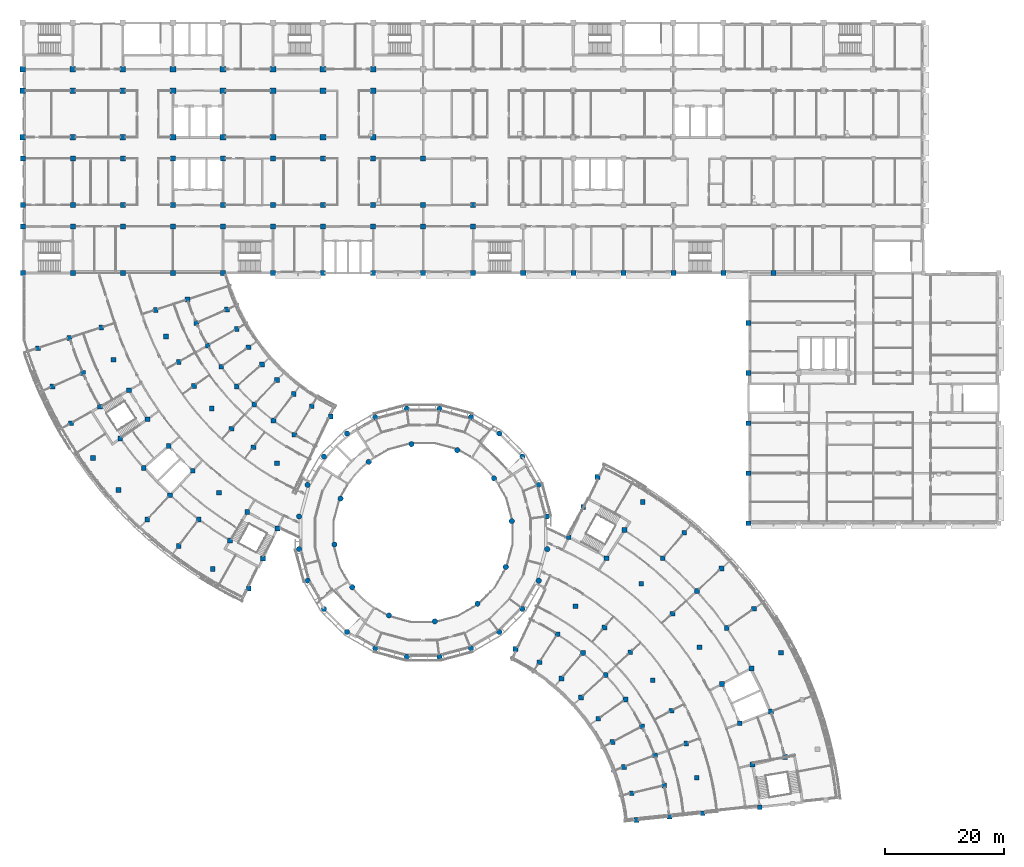
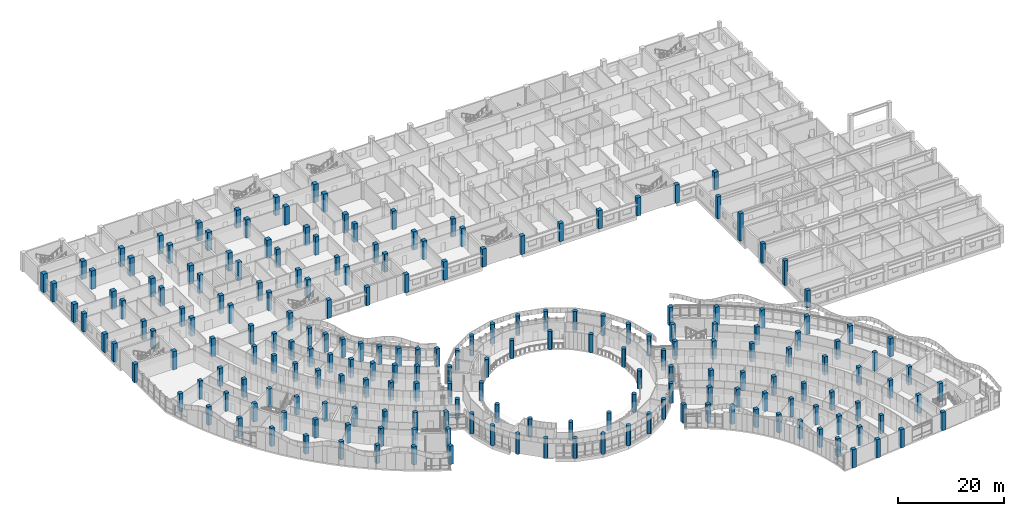
# One storey, part 1 of 109: 209 columns.
"""IFC4 building model written with IfcOpenShell, lengths in metres."""

from ifc_helpers import new_model, si_unit, direction, frame, origin, origin_2d, place, context, subcontext, project, spatial, rectangle, circle, extrude, material, material_profile, profile_set, type_object, element, save


model = new_model("IFC4")

# Units and contexts
model_context = context("Model", 3, precision=1e-05, world=origin(), true_north=direction((0.0, 1.0)))
body_context = subcontext(model_context, "Body", "Model", "MODEL_VIEW")
ifc_project = project(units=[si_unit("LENGTHUNIT", "METRE"), si_unit("AREAUNIT", "SQUARE_METRE"), si_unit("VOLUMEUNIT", "CUBIC_METRE"), si_unit("PLANEANGLEUNIT", "RADIAN"), si_unit("MASSUNIT", "GRAM", prefix="KILO")], contexts=[model_context])

# Site, building, storey
site_placement = place(None, origin())
site = spatial("IfcSite", under=ifc_project, at=site_placement, CompositionType="ELEMENT")
building_placement = place(site_placement, origin())
building = spatial("IfcBuilding", under=site, at=building_placement, Name="Bougainvillea Quay General Hospital", CompositionType="ELEMENT")
storey_placement = place(building_placement, frame((0.0, 0.0, 12.60009765625)))
storey = spatial("IfcBuildingStorey", under=building, at=storey_placement, Name="L02", CompositionType="ELEMENT", Elevation=12.60009765625)

# Columns
ifc_material = material(Name="Concrete C40", Category="concrete")
ifc_material_profile_1 = material_profile(ifc_material, rectangle(XDim=0.800048828125, YDim=0.800048828125, at=origin_2d()))
ifc_profile_set_1 = profile_set([ifc_material_profile_1], Name="Concrete C40")
column_type_1 = type_object("IfcColumnType", Name="RC COL 800x800 C40", PredefinedType="COLUMN", material=ifc_profile_set_1)
for number, where, z_axis, x_axis, name in (
    (1, (44.530029296875, 104.98193359375, 0.0), (0.0, 0.0, 1.0), (1.0, 0.0, 0.0), "Column C-V6-W80 L02"),
    (2, (46.989990234375, 98.5419921875, 0.0), (0.0, 0.0, 1.0), (1.0, 0.0, 0.0), "Column C-V6-W70 L02"),
    (3, (49.85498046875, 106.712890625, 0.0), (0.0, 0.0, 1.0), (1.0, 0.0, 0.0), "Column C-V6-W81 L02"),
    (4, (50.091064453125, 92.383056640625, 0.0), (0.0, 0.0, 1.0), (1.0, 0.0, 0.0), "Column C-V6-W60 L02"),
    (5, (52.114013671875, 100.802978515625, 0.0), (0.0, 0.0, 1.0), (1.0, 0.0, 0.0), "Column C-V6-W71 L02"),
    (6, (53.799072265625, 86.570068359375, 0.0), (0.0, 0.0, 1.0), (1.0, 0.0, 0.0), "Column C-V6-W50 L02"),
    (7, (54.958984375, 95.152099609375, 0.0), (0.0, 0.0, 1.0), (1.0, 0.0, 0.0), "Column C-V6-W61 L02"),
    (8, (55.180908203125, 108.444091796875, 0.0), (0.0, 0.0, 1.0), (1.0, 0.0, 0.0), "Column C-V6-W82 L02"),
    (9, (57.237060546875, 103.06396484375, 0.0), (0.0, 0.0, 1.0), (1.0, 0.0, 0.0), "Column C-V6-W72 L02"),
    (10, (58.075927734375, 81.1630859375, 0.0), (0.0, 0.0, 1.0), (1.0, 0.0, 0.0), "Column C-V6-W40 L02"),
    (11, (58.361083984375, 89.81689453125, 0.0), (0.0, 0.0, 1.0), (1.0, 0.0, 0.0), "Column C-V6-W51 L02"),
    (12, (59.825927734375, 97.919921875, 0.0), (0.0, 0.0, 1.0), (1.0, 0.0, 0.0), "Column C-V6-W62 L02"),
    (13, (62.287109375, 84.85498046875, 0.0), (0.0, 0.0, 1.0), (1.0, 0.0, 0.0), "Column C-V6-W41 L02"),
    (14, (62.8798828125, 76.216064453125, 0.0), (0.0, 0.0, 1.0), (1.0, 0.0, 0.0), "Column C-V6-W30 L02"),
    (15, (62.924072265625, 93.06494140625, 0.0), (0.0, 0.0, 1.0), (1.0, 0.0, 0.0), "Column C-V6-W52 L02"),
    (16, (64.31103515625, 111.410888671875, 0.0), (0.0, 0.0, 1.0), (1.0, 0.0, 0.0), "Column C-V6-W83 L02"),
    (17, (66.01904296875, 106.94091796875, 0.0), (0.0, 0.0, 1.0), (1.0, 0.0, 0.0), "Column C-V6-W73 L02"),
    (18, (66.4970703125, 88.548095703125, 0.0), (0.0, 0.0, 1.0), (1.0, 0.0, 0.0), "Column C-V6-W42 L02"),
    (19, (66.694091796875, 80.31591796875, 0.0), (0.0, 0.0, 1.0), (1.0, 0.0, 0.0), "Column C-V6-W31 L02"),
    (20, (68.158935546875, 71.781005859375, 0.0), (0.0, 0.0, 1.0), (1.0, 0.0, 0.0), "Column C-V6-W20 L02"),
    (21, (68.1708984375, 102.666015625, 0.0), (0.0, 0.0, 1.0), (1.0, 0.0, 0.0), "Column C-V6-W63 L02"),
    (22, (69.636962890625, 113.14208984375, 0.0), (0.0, 0.0, 1.0), (1.0, 0.0, 0.0), "Column C-V6-W84 L02"),
    (23, (70.509033203125, 84.416015625, 0.0), (0.0, 0.0, 1.0), (1.0, 0.0, 0.0), "Column C-V6-W32 L02"),
    (24, (70.7451171875, 98.631103515625, 0.0), (0.0, 0.0, 1.0), (1.0, 0.0, 0.0), "Column C-V6-W53 L02"),
    (25, (71.14208984375, 109.201904296875, 0.0), (0.0, 0.0, 1.0), (1.0, 0.0, 0.0), "Column C-V6-W74 L02"),
    (26, (71.5390625, 76.2470703125, 0.0), (0.0, 0.0, 1.0), (1.0, 0.0, 0.0), "Column C-V6-W21 L02"),
    (27, (73.0390625, 105.43408203125, 0.0), (0.0, 0.0, 1.0), (1.0, 0.0, 0.0), "Column C-V6-W64 L02"),
    (28, (73.714111328125, 94.8779296875, 0.0), (0.0, 0.0, 1.0), (1.0, 0.0, 0.0), "Column C-V6-W43 L02"),
    (29, (73.861083984375, 67.904052734375, 0.0), (0.0, 0.0, 1.0), (1.0, 0.0, 0.0), "Column C-V6-W10 L02"),
    (30, (74.9189453125, 80.7119140625, 0.0), (0.0, 0.0, 1.0), (1.0, 0.0, 0.0), "Column C-V6-W22 L02"),
    (31, (75.30810546875, 101.8779296875, 0.0), (0.0, 0.0, 1.0), (1.0, 0.0, 0.0), "Column C-V6-W54 L02"),
    (32, (76.26611328125, 111.462890625, 0.0), (0.0, 0.0, 1.0), (1.0, 0.0, 0.0), "Column C-V6-W75 L02"),
    (33, (76.77099609375, 72.68896484375, 0.0), (0.0, 0.0, 1.0), (1.0, 0.0, 0.0), "Column C-V6-W11 L02"),
    (34, (77.048095703125, 91.444091796875, 0.0), (0.0, 0.0, 1.0), (1.0, 0.0, 0.0), "Column C-V6-W33 L02"),
    (35, (77.906982421875, 108.202880859375, 0.0), (0.0, 0.0, 1.0), (1.0, 0.0, 0.0), "Column C-V6-W65 L02"),
    (36, (77.924072265625, 98.570068359375, 0.0), (0.0, 0.0, 1.0), (1.0, 0.0, 0.0), "Column C-V6-W44 L02"),
    (37, (79.680908203125, 77.472900390625, 0.0), (0.0, 0.0, 1.0), (1.0, 0.0, 0.0), "Column C-V6-W12 L02"),
    (38, (79.8701171875, 105.125, 0.0), (0.0, 0.0, 1.0), (1.0, 0.0, 0.0), "Column C-V6-W55 L02"),
    (39, (79.925048828125, 64.6240234375, 0.0), (0.0, 0.0, 1.0), (1.0, 0.0, 0.0), "Column C-V6-W00 L02"),
    (40, (80.712890625, 88.365966796875, 0.0), (0.0, 0.0, 1.0), (1.0, 0.0, 0.0), "Column C-V6-W23 L02"),
    (41, (80.863037109375, 95.5439453125, 0.0), (0.0, 0.0, 1.0), (1.0, 0.0, 0.0), "Column C-V6-W34 L02"),
    (42, (82.135009765625, 102.262939453125, 0.0), (0.0, 0.0, 1.0), (1.0, 0.0, 0.0), "Column C-V6-W45 L02"),
    (43, (82.3359375, 69.678955078125, 0.0), (0.0, 0.0, 1.0), (1.0, 0.0, 0.0), "Column C-V6-W01 L02"),
    (44, (84.093017578125, 92.8310546875, 0.0), (0.0, 0.0, 1.0), (1.0, 0.0, 0.0), "Column C-V6-W24 L02"),
    (45, (84.669921875, 85.675048828125, 0.0), (0.0, 0.0, 1.0), (1.0, 0.0, 0.0), "Column C-V6-W13 L02"),
    (46, (84.677001953125, 99.64404296875, 0.0), (0.0, 0.0, 1.0), (1.0, 0.0, 0.0), "Column C-V6-W35 L02"),
    (47, (84.7470703125, 74.73291015625, 0.0), (0.0, 0.0, 1.0), (1.0, 0.0, 0.0), "Column C-V6-W02 L02"),
    (48, (87.471923828125, 97.2958984375, 0.0), (0.0, 0.0, 1.0), (1.0, 0.0, 0.0), "Column C-V6-W25 L02"),
    (49, (87.5810546875, 90.458984375, 0.0), (0.0, 0.0, 1.0), (1.0, 0.0, 0.0), "Column C-V6-W14 L02"),
    (50, (90.490966796875, 95.242919921875, 0.0), (0.0, 0.0, 1.0), (1.0, 0.0, 0.0), "Column C-V6-W15 L02"),
    (51, (93.701904296875, 93.507080078125, 0.0), (0.0, 0.0, 1.0), (1.0, 0.0, 0.0), "Column C-V6-W05 L02"),
    (52, (124.697998046875, 54.492919921875, 0.0), (0.0, 0.0, 1.0), (1.0, 0.0, 0.0), "Column C-V6-E05 L02"),
    (53, (128.7080078125, 52.256103515625, 0.0), (0.0, 0.0, 1.0), (1.0, 0.0, 0.0), "Column C-V6-E15 L02"),
    (54, (131.741943359375, 56.962890625, 0.0), (0.0, 0.0, 1.0), (1.0, 0.0, 0.0), "Column C-V6-E14 L02"),
    (55, (132.39990234375, 49.527099609375, 0.0), (0.0, 0.0, 1.0), (1.0, 0.0, 0.0), "Column C-V6-E25 L02"),
    (56, (133.653076171875, 73.26708984375, 0.0), (0.0, 0.0, 1.0), (1.0, 0.0, 0.0), "Column C-V6-E02 L02"),
    (57, (134.777099609375, 61.6689453125, 0.0), (0.0, 0.0, 1.0), (1.0, 0.0, 0.0), "Column C-V6-E13 L02"),
    (58, (135.715087890625, 46.35107421875, 0.0), (0.0, 0.0, 1.0), (1.0, 0.0, 0.0), "Column C-V6-E35 L02"),
    (59, (136.009033203125, 53.81005859375, 0.0), (0.0, 0.0, 1.0), (1.0, 0.0, 0.0), "Column C-V6-E24 L02"),
    (60, (136.06396484375, 78.321044921875, 0.0), (0.0, 0.0, 1.0), (1.0, 0.0, 0.0), "Column C-V6-E01 L02"),
    (61, (138.47509765625, 83.3759765625, 0.0), (0.0, 0.0, 1.0), (1.0, 0.0, 0.0), "Column C-V6-E00 L02"),
    (62, (138.597900390625, 42.778076171875, 0.0), (0.0, 0.0, 1.0), (1.0, 0.0, 0.0), "Column C-V6-E45 L02"),
    (63, (139.617919921875, 58.092041015625, 0.0), (0.0, 0.0, 1.0), (1.0, 0.0, 0.0), "Column C-V6-E23 L02"),
    (64, (139.839111328125, 50.138916015625, 0.0), (0.0, 0.0, 1.0), (1.0, 0.0, 0.0), "Column C-V6-E34 L02"),
    (65, (139.97900390625, 69.738037109375, 0.0), (0.0, 0.0, 1.0), (1.0, 0.0, 0.0), "Column C-V6-E12 L02"),
    (66, (141.00390625, 38.867919921875, 0.0), (0.0, 0.0, 1.0), (1.0, 0.0, 0.0), "Column C-V6-E55 L02"),
    (67, (142.89208984375, 34.68310546875, 0.0), (0.0, 0.0, 1.0), (1.0, 0.0, 0.0), "Column C-V6-E65 L02"),
    (68, (143.013916015625, 74.444091796875, 0.0), (0.0, 0.0, 1.0), (1.0, 0.0, 0.0), "Column C-V6-E11 L02"),
    (69, (143.1708984375, 46.010009765625, 0.0), (0.0, 0.0, 1.0), (1.0, 0.0, 0.0), "Column C-V6-E44 L02"),
    (70, (143.964111328125, 53.927001953125, 0.0), (0.0, 0.0, 1.0), (1.0, 0.0, 0.0), "Column C-V6-E33 L02"),
    (71, (144.23193359375, 30.2919921875, 0.0), (0.0, 0.0, 1.0), (1.0, 0.0, 0.0), "Column C-V6-E75 L02"),
    (72, (145.0029296875, 25.76611328125, 0.0), (0.0, 0.0, 1.0), (1.0, 0.0, 0.0), "Column C-V6-E85 L02"),
    (73, (145.803955078125, 65.431884765625, 0.0), (0.0, 0.0, 1.0), (1.0, 0.0, 0.0), "Column C-V6-E22 L02"),
    (74, (145.950927734375, 41.491943359375, 0.0), (0.0, 0.0, 1.0), (1.0, 0.0, 0.0), "Column C-V6-E54 L02"),
    (75, (146.048095703125, 79.15087890625, 0.0), (0.0, 0.0, 1.0), (1.0, 0.0, 0.0), "Column C-V6-E10 L02"),
    (76, (147.7451171875, 49.242919921875, 0.0), (0.0, 0.0, 1.0), (1.0, 0.0, 0.0), "Column C-V6-E43 L02"),
    (77, (148.133056640625, 36.656005859375, 0.0), (0.0, 0.0, 1.0), (1.0, 0.0, 0.0), "Column C-V6-E64 L02"),
    (78, (149.4130859375, 69.714111328125, 0.0), (0.0, 0.0, 1.0), (1.0, 0.0, 0.0), "Column C-V6-E21 L02"),
    (79, (149.681884765625, 31.5810546875, 0.0), (0.0, 0.0, 1.0), (1.0, 0.0, 0.0), "Column C-V6-E74 L02"),
    (80, (150.572021484375, 26.35107421875, 0.0), (0.0, 0.0, 1.0), (1.0, 0.0, 0.0), "Column C-V6-E84 L02"),
    (81, (150.89794921875, 44.114990234375, 0.0), (0.0, 0.0, 1.0), (1.0, 0.0, 0.0), "Column C-V6-E53 L02"),
    (82, (151.033935546875, 60.419921875, 0.0), (0.0, 0.0, 1.0), (1.0, 0.0, 0.0), "Column C-V6-E32 L02"),
    (83, (153.02197265625, 73.99609375, 0.0), (0.0, 0.0, 1.0), (1.0, 0.0, 0.0), "Column C-V6-E20 L02"),
    (84, (153.3740234375, 38.62890625, 0.0), (0.0, 0.0, 1.0), (1.0, 0.0, 0.0), "Column C-V6-E63 L02"),
    (85, (155.131103515625, 32.87109375, 0.0), (0.0, 0.0, 1.0), (1.0, 0.0, 0.0), "Column C-V6-E73 L02"),
    (86, (155.158935546875, 64.2080078125, 0.0), (0.0, 0.0, 1.0), (1.0, 0.0, 0.0), "Column C-V6-E31 L02"),
    (87, (155.583984375, 54.782958984375, 0.0), (0.0, 0.0, 1.0), (1.0, 0.0, 0.0), "Column C-V6-E42 L02"),
    (88, (156.14111328125, 26.93701171875, 0.0), (0.0, 0.0, 1.0), (1.0, 0.0, 0.0), "Column C-V6-E83 L02"),
    (89, (159.283935546875, 67.99609375, 0.0), (0.0, 0.0, 1.0), (1.0, 0.0, 0.0), "Column C-V6-E30 L02"),
    (90, (159.37890625, 48.613037109375, 0.0), (0.0, 0.0, 1.0), (1.0, 0.0, 0.0), "Column C-V6-E52 L02"),
    (91, (160.156982421875, 58.01611328125, 0.0), (0.0, 0.0, 1.0), (1.0, 0.0, 0.0), "Column C-V6-E41 L02"),
    (92, (162.35791015625, 42.010986328125, 0.0), (0.0, 0.0, 1.0), (1.0, 0.0, 0.0), "Column C-V6-E62 L02"),
):
    element("IfcColumn", number, at=place(storey_placement, frame(where, z_axis=z_axis, x_axis=x_axis)), inside=storey, type_object=column_type_1, Name=name, PredefinedType="COLUMN", context=body_context, shape_type="SweptSolid", body=[
        extrude(rectangle(XDim=0.800048828125, YDim=0.800048828125, at=origin_2d()), origin(), (0.0, 0.0, 1.0), 4.199951171875),
    ])
column_1_placement = place(storey_placement, frame((163.800048828125, 75.60009765625, 0.0), z_axis=(0.0, 0.0, 1.0), x_axis=(1.0, 0.0, 0.0)))
element("IfcColumn", 93, at=column_1_placement, inside=storey, type_object=column_type_1, Name="Column C-V3-00 L02", PredefinedType="COLUMN", context=body_context, shape_type="SweptSolid", body=[
    extrude(rectangle(XDim=0.800048828125, YDim=0.800048828125, at=origin_2d()), origin(), (0.0, 0.0, 1.0), 3.909912109375),
])
column_2_placement = place(storey_placement, frame((163.800048828125, 84.0, 0.0), z_axis=(0.0, 0.0, 1.0), x_axis=(1.0, 0.0, 0.0)))
element("IfcColumn", 94, at=column_2_placement, inside=storey, type_object=column_type_1, Name="Column C-V3-01 L02", PredefinedType="COLUMN", context=body_context, shape_type="SweptSolid", body=[
    extrude(rectangle(XDim=0.800048828125, YDim=0.800048828125, at=origin_2d()), origin(), (0.0, 0.0, 1.0), 5.7099609375),
])
column_3_placement = place(storey_placement, frame((163.800048828125, 92.39990234375, 0.0), z_axis=(0.0, 0.0, 1.0), x_axis=(1.0, 0.0, 0.0)))
element("IfcColumn", 95, at=column_3_placement, inside=storey, type_object=column_type_1, Name="Column C-V3-02 L02", PredefinedType="COLUMN", context=body_context, shape_type="SweptSolid", body=[
    extrude(rectangle(XDim=0.800048828125, YDim=0.800048828125, at=origin_2d()), origin(), (0.0, 0.0, 1.0), 4.510009765625),
])
column_4_placement = place(storey_placement, frame((163.800048828125, 100.800048828125, 0.0), z_axis=(0.0, 0.0, 1.0), x_axis=(1.0, 0.0, 0.0)))
element("IfcColumn", 96, at=column_4_placement, inside=storey, type_object=column_type_1, Name="Column C-V3-03 L02", PredefinedType="COLUMN", context=body_context, shape_type="SweptSolid", body=[
    extrude(rectangle(XDim=0.800048828125, YDim=0.800048828125, at=origin_2d()), origin(), (0.0, 0.0, 1.0), 6.309814453125),
])
column_5_placement = place(storey_placement, frame((163.800048828125, 109.199951171875, 0.0), z_axis=(0.0, 0.0, 1.0), x_axis=(1.0, 0.0, 0.0)))
element("IfcColumn", 97, at=column_5_placement, inside=storey, type_object=column_type_1, Name="Column C-V3-04 L02", PredefinedType="COLUMN", context=body_context, shape_type="SweptSolid", body=[
    extrude(rectangle(XDim=0.800048828125, YDim=0.800048828125, at=origin_2d()), origin(), (0.0, 0.0, 1.0), 5.10986328125),
])
for number, where, z_axis, x_axis, name in (
    (98, (164.326904296875, 51.237060546875, 0.0), (0.0, 0.0, 1.0), (1.0, 0.0, 0.0), "Column C-V6-E51 L02"),
    (99, (164.472900390625, 35.08203125, 0.0), (0.0, 0.0, 1.0), (1.0, 0.0, 0.0), "Column C-V6-E72 L02"),
    (100, (164.72998046875, 61.248046875, 0.0), (0.0, 0.0, 1.0), (1.0, 0.0, 0.0), "Column C-V6-E40 L02"),
    (101, (165.68798828125, 27.94091796875, 0.0), (0.0, 0.0, 1.0), (1.0, 0.0, 0.0), "Column C-V6-E82 L02"),
    (102, (167.59912109375, 43.98291015625, 0.0), (0.0, 0.0, 1.0), (1.0, 0.0, 0.0), "Column C-V6-E61 L02"),
    (103, (169.27392578125, 53.861083984375, 0.0), (0.0, 0.0, 1.0), (1.0, 0.0, 0.0), "Column C-V6-E50 L02"),
    (104, (169.922119140625, 36.3720703125, 0.0), (0.0, 0.0, 1.0), (1.0, 0.0, 0.0), "Column C-V6-E71 L02"),
):
    element("IfcColumn", number, at=place(storey_placement, frame(where, z_axis=z_axis, x_axis=x_axis)), inside=storey, type_object=column_type_1, Name=name, PredefinedType="COLUMN", context=body_context, shape_type="SweptSolid", body=[
        extrude(rectangle(XDim=0.800048828125, YDim=0.800048828125, at=origin_2d()), origin(), (0.0, 0.0, 1.0), 4.199951171875),
    ])
ifc_material_profile_2 = material_profile(ifc_material, rectangle(XDim=0.85009765625, YDim=0.85009765625, at=origin_2d()))
ifc_profile_set_2 = profile_set([ifc_material_profile_2], Name="Concrete C40")
column_type_2 = type_object("IfcColumnType", Name="RC COL 850x850 C40", PredefinedType="COLUMN", material=ifc_profile_set_2)
for number, where, z_axis, x_axis, name in (
    (105, (42.0, 117.60009765625, 0.0), (0.0, 0.0, 1.0), (1.0, 0.0, 0.0), "Column C-V4-000 L02"),
    (106, (42.0, 125.39990234375, 0.0), (0.0, 0.0, 1.0), (1.0, 0.0, 0.0), "Column C-V4-001 L02"),
    (107, (42.0, 129.0, 0.0), (0.0, 0.0, 1.0), (1.0, 0.0, 0.0), "Column C-V4-002 L02"),
    (108, (42.0, 136.800048828125, 0.0), (0.0, 0.0, 1.0), (1.0, 0.0, 0.0), "Column C-V4-003 L02"),
    (109, (50.39990234375, 117.60009765625, 0.0), (0.0, 0.0, 1.0), (1.0, 0.0, 0.0), "Column C-V4-010 L02"),
    (110, (50.39990234375, 125.39990234375, 0.0), (0.0, 0.0, 1.0), (1.0, 0.0, 0.0), "Column C-V4-011 L02"),
    (111, (50.39990234375, 129.0, 0.0), (0.0, 0.0, 1.0), (1.0, 0.0, 0.0), "Column C-V4-012 L02"),
    (112, (50.39990234375, 136.800048828125, 0.0), (0.0, 0.0, 1.0), (1.0, 0.0, 0.0), "Column C-V4-013 L02"),
    (113, (58.800048828125, 117.60009765625, 0.0), (0.0, 0.0, 1.0), (1.0, 0.0, 0.0), "Column C-V4-020 L02"),
    (114, (58.800048828125, 125.39990234375, 0.0), (0.0, 0.0, 1.0), (1.0, 0.0, 0.0), "Column C-V4-021 L02"),
    (115, (58.800048828125, 129.0, 0.0), (0.0, 0.0, 1.0), (1.0, 0.0, 0.0), "Column C-V4-022 L02"),
    (116, (58.800048828125, 136.800048828125, 0.0), (0.0, 0.0, 1.0), (1.0, 0.0, 0.0), "Column C-V4-023 L02"),
    (117, (67.199951171875, 117.60009765625, 0.0), (0.0, 0.0, 1.0), (1.0, 0.0, 0.0), "Column C-V4-030 L02"),
    (118, (67.199951171875, 125.39990234375, 0.0), (0.0, 0.0, 1.0), (1.0, 0.0, 0.0), "Column C-V4-031 L02"),
    (119, (67.199951171875, 129.0, 0.0), (0.0, 0.0, 1.0), (1.0, 0.0, 0.0), "Column C-V4-032 L02"),
    (120, (67.199951171875, 136.800048828125, 0.0), (0.0, 0.0, 1.0), (1.0, 0.0, 0.0), "Column C-V4-033 L02"),
    (121, (75.60009765625, 117.60009765625, 0.0), (0.0, 0.0, 1.0), (1.0, 0.0, 0.0), "Column C-V4-040 L02"),
    (122, (75.60009765625, 125.39990234375, 0.0), (0.0, 0.0, 1.0), (1.0, 0.0, 0.0), "Column C-V4-041 L02"),
    (123, (75.60009765625, 129.0, 0.0), (0.0, 0.0, 1.0), (1.0, 0.0, 0.0), "Column C-V4-042 L02"),
    (124, (75.60009765625, 136.800048828125, 0.0), (0.0, 0.0, 1.0), (1.0, 0.0, 0.0), "Column C-V4-043 L02"),
    (125, (84.0, 117.60009765625, 0.0), (0.0, 0.0, 1.0), (1.0, 0.0, 0.0), "Column C-V4-050 L02"),
    (126, (84.0, 125.39990234375, 0.0), (0.0, 0.0, 1.0), (1.0, 0.0, 0.0), "Column C-V4-051 L02"),
    (127, (84.0, 129.0, 0.0), (0.0, 0.0, 1.0), (1.0, 0.0, 0.0), "Column C-V4-052 L02"),
    (128, (84.0, 136.800048828125, 0.0), (0.0, 0.0, 1.0), (1.0, 0.0, 0.0), "Column C-V4-053 L02"),
    (129, (92.39990234375, 117.60009765625, 0.0), (0.0, 0.0, 1.0), (1.0, 0.0, 0.0), "Column C-V4-060 L02"),
    (130, (92.39990234375, 125.39990234375, 0.0), (0.0, 0.0, 1.0), (1.0, 0.0, 0.0), "Column C-V4-061 L02"),
    (131, (92.39990234375, 129.0, 0.0), (0.0, 0.0, 1.0), (1.0, 0.0, 0.0), "Column C-V4-062 L02"),
    (132, (92.39990234375, 136.800048828125, 0.0), (0.0, 0.0, 1.0), (1.0, 0.0, 0.0), "Column C-V4-063 L02"),
    (133, (100.800048828125, 117.60009765625, 0.0), (0.0, 0.0, 1.0), (1.0, 0.0, 0.0), "Column C-V4-070 L02"),
    (134, (100.800048828125, 125.39990234375, 0.0), (0.0, 0.0, 1.0), (1.0, 0.0, 0.0), "Column C-V4-071 L02"),
    (135, (100.800048828125, 129.0, 0.0), (0.0, 0.0, 1.0), (1.0, 0.0, 0.0), "Column C-V4-072 L02"),
    (136, (100.800048828125, 136.800048828125, 0.0), (0.0, 0.0, 1.0), (1.0, 0.0, 0.0), "Column C-V4-073 L02"),
    (137, (109.199951171875, 117.60009765625, 0.0), (0.0, 0.0, 1.0), (1.0, 0.0, 0.0), "Column C-V4-080 L02"),
    (138, (109.199951171875, 125.39990234375, 0.0), (0.0, 0.0, 1.0), (1.0, 0.0, 0.0), "Column C-V4-081 L02"),
    (139, (109.199951171875, 129.0, 0.0), (0.0, 0.0, 1.0), (1.0, 0.0, 0.0), "Column C-V4-082 L02"),
    (140, (109.199951171875, 136.800048828125, 0.0), (0.0, 0.0, 1.0), (1.0, 0.0, 0.0), "Column C-V4-083 L02"),
    (141, (117.60009765625, 117.60009765625, 0.0), (0.0, 0.0, 1.0), (1.0, 0.0, 0.0), "Column C-V4-090 L02"),
    (142, (117.60009765625, 125.39990234375, 0.0), (0.0, 0.0, 1.0), (1.0, 0.0, 0.0), "Column C-V4-091 L02"),
    (143, (117.60009765625, 129.0, 0.0), (0.0, 0.0, 1.0), (1.0, 0.0, 0.0), "Column C-V4-092 L02"),
    (144, (126.0, 117.60009765625, 0.0), (0.0, 0.0, 1.0), (1.0, 0.0, 0.0), "Column C-V4-100 L02"),
    (145, (134.39990234375, 117.60009765625, 0.0), (0.0, 0.0, 1.0), (1.0, 0.0, 0.0), "Column C-V4-110 L02"),
    (146, (142.800048828125, 117.60009765625, 0.0), (0.0, 0.0, 1.0), (1.0, 0.0, 0.0), "Column C-V4-120 L02"),
    (147, (151.199951171875, 117.60009765625, 0.0), (0.0, 0.0, 1.0), (1.0, 0.0, 0.0), "Column C-V4-130 L02"),
    (148, (159.60009765625, 117.60009765625, 0.0), (0.0, 0.0, 1.0), (1.0, 0.0, 0.0), "Column C-V4-140 L02"),
    (149, (168.0, 117.60009765625, 0.0), (0.0, 0.0, 1.0), (1.0, 0.0, 0.0), "Column C-V4-150 L02"),
):
    element("IfcColumn", number, at=place(storey_placement, frame(where, z_axis=z_axis, x_axis=x_axis)), inside=storey, type_object=column_type_2, Name=name, PredefinedType="COLUMN", context=body_context, shape_type="SweptSolid", body=[
        extrude(rectangle(XDim=0.85009765625, YDim=0.85009765625, at=origin_2d()), origin(), (0.0, 0.0, 1.0), 4.199951171875),
    ])
ifc_material_profile_3 = material_profile(ifc_material, rectangle(XDim=0.949951171875, YDim=0.949951171875, at=origin_2d()))
ifc_profile_set_3 = profile_set([ifc_material_profile_3], Name="Concrete C40")
column_type_3 = type_object("IfcColumnType", Name="RC COL 950x950 C40", PredefinedType="COLUMN", material=ifc_profile_set_3)
for number, where, z_axis, x_axis, name in (
    (150, (42.0, 140.39990234375, 0.0), (0.0, 0.0, 1.0), (1.0, 0.0, 0.0), "Column C-V4-004 L02"),
    (151, (42.0, 148.199951171875, 0.0), (0.0, 0.0, 1.0), (1.0, 0.0, 0.0), "Column C-V4-005 L02"),
    (152, (42.0, 151.800048828125, 0.0), (0.0, 0.0, 1.0), (1.0, 0.0, 0.0), "Column C-V4-006 L02"),
    (153, (50.39990234375, 140.39990234375, 0.0), (0.0, 0.0, 1.0), (1.0, 0.0, 0.0), "Column C-V4-014 L02"),
    (154, (50.39990234375, 148.199951171875, 0.0), (0.0, 0.0, 1.0), (1.0, 0.0, 0.0), "Column C-V4-015 L02"),
    (155, (50.39990234375, 151.800048828125, 0.0), (0.0, 0.0, 1.0), (1.0, 0.0, 0.0), "Column C-V4-016 L02"),
    (156, (58.800048828125, 140.39990234375, 0.0), (0.0, 0.0, 1.0), (1.0, 0.0, 0.0), "Column C-V4-024 L02"),
    (157, (58.800048828125, 148.199951171875, 0.0), (0.0, 0.0, 1.0), (1.0, 0.0, 0.0), "Column C-V4-025 L02"),
    (158, (58.800048828125, 151.800048828125, 0.0), (0.0, 0.0, 1.0), (1.0, 0.0, 0.0), "Column C-V4-026 L02"),
    (159, (67.199951171875, 140.39990234375, 0.0), (0.0, 0.0, 1.0), (1.0, 0.0, 0.0), "Column C-V4-034 L02"),
    (160, (67.199951171875, 148.199951171875, 0.0), (0.0, 0.0, 1.0), (1.0, 0.0, 0.0), "Column C-V4-035 L02"),
    (161, (67.199951171875, 151.800048828125, 0.0), (0.0, 0.0, 1.0), (1.0, 0.0, 0.0), "Column C-V4-036 L02"),
    (162, (75.60009765625, 140.39990234375, 0.0), (0.0, 0.0, 1.0), (1.0, 0.0, 0.0), "Column C-V4-044 L02"),
    (163, (75.60009765625, 148.199951171875, 0.0), (0.0, 0.0, 1.0), (1.0, 0.0, 0.0), "Column C-V4-045 L02"),
    (164, (75.60009765625, 151.800048828125, 0.0), (0.0, 0.0, 1.0), (1.0, 0.0, 0.0), "Column C-V4-046 L02"),
    (165, (84.0, 140.39990234375, 0.0), (0.0, 0.0, 1.0), (1.0, 0.0, 0.0), "Column C-V4-054 L02"),
    (166, (84.0, 148.199951171875, 0.0), (0.0, 0.0, 1.0), (1.0, 0.0, 0.0), "Column C-V4-055 L02"),
    (167, (84.0, 151.800048828125, 0.0), (0.0, 0.0, 1.0), (1.0, 0.0, 0.0), "Column C-V4-056 L02"),
    (168, (92.39990234375, 140.39990234375, 0.0), (0.0, 0.0, 1.0), (1.0, 0.0, 0.0), "Column C-V4-064 L02"),
    (169, (92.39990234375, 148.199951171875, 0.0), (0.0, 0.0, 1.0), (1.0, 0.0, 0.0), "Column C-V4-065 L02"),
    (170, (92.39990234375, 151.800048828125, 0.0), (0.0, 0.0, 1.0), (1.0, 0.0, 0.0), "Column C-V4-066 L02"),
    (171, (100.800048828125, 140.39990234375, 0.0), (0.0, 0.0, 1.0), (1.0, 0.0, 0.0), "Column C-V4-074 L02"),
    (172, (100.800048828125, 148.199951171875, 0.0), (0.0, 0.0, 1.0), (1.0, 0.0, 0.0), "Column C-V4-075 L02"),
    (173, (100.800048828125, 151.800048828125, 0.0), (0.0, 0.0, 1.0), (1.0, 0.0, 0.0), "Column C-V4-076 L02"),
):
    element("IfcColumn", number, at=place(storey_placement, frame(where, z_axis=z_axis, x_axis=x_axis)), inside=storey, type_object=column_type_3, Name=name, PredefinedType="COLUMN", context=body_context, shape_type="SweptSolid", body=[
        extrude(rectangle(XDim=0.949951171875, YDim=0.949951171875, at=origin_2d()), origin(), (0.0, 0.0, 1.0), 4.199951171875),
    ])
ifc_material_profile_4 = material_profile(ifc_material, circle(Radius=0.449951171875, at=origin_2d()))
ifc_profile_set_4 = profile_set([ifc_material_profile_4], Name="Concrete C40")
column_type_4 = type_object("IfcColumnType", Name="RC COL D900 C40", PredefinedType="COLUMN", material=ifc_profile_set_4)
for number, where, z_axis, x_axis, name in (
    (174, (88.3798828125, 71.259033203125, 0.0), (0.0, 0.0, 1.0), (1.0, 0.0, 0.0), "Column C-V1-O12 L02"),
    (175, (88.3798828125, 76.740966796875, 0.0), (0.0, 0.0, 1.0), (1.0, 0.0, 0.0), "Column C-V1-O11 L02"),
    (176, (89.799072265625, 65.964111328125, 0.0), (0.0, 0.0, 1.0), (1.0, 0.0, 0.0), "Column C-V1-O13 L02"),
    (177, (89.799072265625, 82.035888671875, 0.0), (0.0, 0.0, 1.0), (1.0, 0.0, 0.0), "Column C-V1-O10 L02"),
    (178, (92.5400390625, 61.216064453125, 0.0), (0.0, 0.0, 1.0), (1.0, 0.0, 0.0), "Column C-V1-O14 L02"),
    (179, (92.5400390625, 86.783935546875, 0.0), (0.0, 0.0, 1.0), (1.0, 0.0, 0.0), "Column C-V1-O09 L02"),
):
    element("IfcColumn", number, at=place(storey_placement, frame(where, z_axis=z_axis, x_axis=x_axis)), inside=storey, type_object=column_type_4, Name=name, PredefinedType="COLUMN", context=body_context, shape_type="SweptSolid", body=[
        extrude(circle(Radius=0.449951171875, at=origin_2d()), origin(), (0.0, 0.0, 1.0), 4.59814453125),
    ])
for number, where, z_axis, x_axis, name in (
    (180, (94.327880859375, 72.0419921875, 0.0), (0.0, 0.0, 1.0), (1.0, 0.0, 0.0), "Column C-V1-I06 L02"),
    (181, (95.342041015625, 79.739990234375, 0.0), (0.0, 0.0, 1.0), (1.0, 0.0, 0.0), "Column C-V1-I05 L02"),
):
    element("IfcColumn", number, at=place(storey_placement, frame(where, z_axis=z_axis, x_axis=x_axis)), inside=storey, type_object=column_type_4, Name=name, PredefinedType="COLUMN", context=body_context, shape_type="SweptSolid", body=[
        extrude(circle(Radius=0.449951171875, at=origin_2d()), origin(), (0.0, 0.0, 1.0), 4.199951171875),
    ])
for number, where, z_axis, x_axis, name in (
    (182, (96.416015625, 57.340087890625, 0.0), (0.0, 0.0, 1.0), (1.0, 0.0, 0.0), "Column C-V1-O15 L02"),
    (183, (96.416015625, 90.659912109375, 0.0), (0.0, 0.0, 1.0), (1.0, 0.0, 0.0), "Column C-V1-O08 L02"),
):
    element("IfcColumn", number, at=place(storey_placement, frame(where, z_axis=z_axis, x_axis=x_axis)), inside=storey, type_object=column_type_4, Name=name, PredefinedType="COLUMN", context=body_context, shape_type="SweptSolid", body=[
        extrude(circle(Radius=0.449951171875, at=origin_2d()), origin(), (0.0, 0.0, 1.0), 4.59814453125),
    ])
for number, where, z_axis, x_axis, name in (
    (184, (97.300048828125, 64.868896484375, 0.0), (0.0, 0.0, 1.0), (1.0, 0.0, 0.0), "Column C-V1-I07 L02"),
    (185, (100.069091796875, 85.89990234375, 0.0), (0.0, 0.0, 1.0), (1.0, 0.0, 0.0), "Column C-V1-I04 L02"),
):
    element("IfcColumn", number, at=place(storey_placement, frame(where, z_axis=z_axis, x_axis=x_axis)), inside=storey, type_object=column_type_4, Name=name, PredefinedType="COLUMN", context=body_context, shape_type="SweptSolid", body=[
        extrude(circle(Radius=0.449951171875, at=origin_2d()), origin(), (0.0, 0.0, 1.0), 4.199951171875),
    ])
for number, where, z_axis, x_axis, name in (
    (186, (101.1640625, 54.59912109375, 0.0), (0.0, 0.0, 1.0), (1.0, 0.0, 0.0), "Column C-V1-O16 L02"),
    (187, (101.1640625, 93.40087890625, 0.0), (0.0, 0.0, 1.0), (1.0, 0.0, 0.0), "Column C-V1-O07 L02"),
):
    element("IfcColumn", number, at=place(storey_placement, frame(where, z_axis=z_axis, x_axis=x_axis)), inside=storey, type_object=column_type_4, Name=name, PredefinedType="COLUMN", context=body_context, shape_type="SweptSolid", body=[
        extrude(circle(Radius=0.449951171875, at=origin_2d()), origin(), (0.0, 0.0, 1.0), 4.59814453125),
    ])
column_6_placement = place(storey_placement, frame((103.4599609375, 60.14208984375, 0.0), z_axis=(0.0, 0.0, 1.0), x_axis=(1.0, 0.0, 0.0)))
element("IfcColumn", 188, at=column_6_placement, inside=storey, type_object=column_type_4, Name="Column C-V1-I08 L02", PredefinedType="COLUMN", context=body_context, shape_type="SweptSolid", body=[
    extrude(circle(Radius=0.449951171875, at=origin_2d()), origin(), (0.0, 0.0, 1.0), 4.199951171875),
])
for number, where, z_axis, x_axis, name in (
    (189, (106.458984375, 53.179931640625, 0.0), (0.0, 0.0, 1.0), (1.0, 0.0, 0.0), "Column C-V1-O17 L02"),
    (190, (106.458984375, 94.820068359375, 0.0), (0.0, 0.0, 1.0), (1.0, 0.0, 0.0), "Column C-V1-O06 L02"),
):
    element("IfcColumn", number, at=place(storey_placement, frame(where, z_axis=z_axis, x_axis=x_axis)), inside=storey, type_object=column_type_4, Name=name, PredefinedType="COLUMN", context=body_context, shape_type="SweptSolid", body=[
        extrude(circle(Radius=0.449951171875, at=origin_2d()), origin(), (0.0, 0.0, 1.0), 4.59814453125),
    ])
for number, where, z_axis, x_axis, name in (
    (191, (107.241943359375, 88.8720703125, 0.0), (0.0, 0.0, 1.0), (1.0, 0.0, 0.0), "Column C-V1-I03 L02"),
    (192, (111.157958984375, 59.1279296875, 0.0), (0.0, 0.0, 1.0), (1.0, 0.0, 0.0), "Column C-V1-I09 L02"),
):
    element("IfcColumn", number, at=place(storey_placement, frame(where, z_axis=z_axis, x_axis=x_axis)), inside=storey, type_object=column_type_4, Name=name, PredefinedType="COLUMN", context=body_context, shape_type="SweptSolid", body=[
        extrude(circle(Radius=0.449951171875, at=origin_2d()), origin(), (0.0, 0.0, 1.0), 4.199951171875),
    ])
for number, where, z_axis, x_axis, name in (
    (193, (111.94091796875, 53.179931640625, 0.0), (0.0, 0.0, 1.0), (1.0, 0.0, 0.0), "Column C-V1-O18 L02"),
    (194, (111.94091796875, 94.820068359375, 0.0), (0.0, 0.0, 1.0), (1.0, 0.0, 0.0), "Column C-V1-O05 L02"),
):
    element("IfcColumn", number, at=place(storey_placement, frame(where, z_axis=z_axis, x_axis=x_axis)), inside=storey, type_object=column_type_4, Name=name, PredefinedType="COLUMN", context=body_context, shape_type="SweptSolid", body=[
        extrude(circle(Radius=0.449951171875, at=origin_2d()), origin(), (0.0, 0.0, 1.0), 4.59814453125),
    ])
column_7_placement = place(storey_placement, frame((114.93994140625, 87.85791015625, 0.0), z_axis=(0.0, 0.0, 1.0), x_axis=(1.0, 0.0, 0.0)))
element("IfcColumn", 195, at=column_7_placement, inside=storey, type_object=column_type_4, Name="Column C-V1-I02 L02", PredefinedType="COLUMN", context=body_context, shape_type="SweptSolid", body=[
    extrude(circle(Radius=0.449951171875, at=origin_2d()), origin(), (0.0, 0.0, 1.0), 4.199951171875),
])
for number, where, z_axis, x_axis, name in (
    (196, (117.236083984375, 54.59912109375, 0.0), (0.0, 0.0, 1.0), (1.0, 0.0, 0.0), "Column C-V1-O19 L02"),
    (197, (117.236083984375, 93.40087890625, 0.0), (0.0, 0.0, 1.0), (1.0, 0.0, 0.0), "Column C-V1-O04 L02"),
):
    element("IfcColumn", number, at=place(storey_placement, frame(where, z_axis=z_axis, x_axis=x_axis)), inside=storey, type_object=column_type_4, Name=name, PredefinedType="COLUMN", context=body_context, shape_type="SweptSolid", body=[
        extrude(circle(Radius=0.449951171875, at=origin_2d()), origin(), (0.0, 0.0, 1.0), 4.59814453125),
    ])
for number, where, z_axis, x_axis, name in (
    (198, (118.3310546875, 62.10009765625, 0.0), (0.0, 0.0, 1.0), (1.0, 0.0, 0.0), "Column C-V1-I10 L02"),
    (199, (121.10009765625, 83.131103515625, 0.0), (0.0, 0.0, 1.0), (1.0, 0.0, 0.0), "Column C-V1-I01 L02"),
):
    element("IfcColumn", number, at=place(storey_placement, frame(where, z_axis=z_axis, x_axis=x_axis)), inside=storey, type_object=column_type_4, Name=name, PredefinedType="COLUMN", context=body_context, shape_type="SweptSolid", body=[
        extrude(circle(Radius=0.449951171875, at=origin_2d()), origin(), (0.0, 0.0, 1.0), 4.199951171875),
    ])
for number, where, z_axis, x_axis, name in (
    (200, (121.98388671875, 57.340087890625, 0.0), (0.0, 0.0, 1.0), (1.0, 0.0, 0.0), "Column C-V1-O20 L02"),
    (201, (121.98388671875, 90.659912109375, 0.0), (0.0, 0.0, 1.0), (1.0, 0.0, 0.0), "Column C-V1-O03 L02"),
):
    element("IfcColumn", number, at=place(storey_placement, frame(where, z_axis=z_axis, x_axis=x_axis)), inside=storey, type_object=column_type_4, Name=name, PredefinedType="COLUMN", context=body_context, shape_type="SweptSolid", body=[
        extrude(circle(Radius=0.449951171875, at=origin_2d()), origin(), (0.0, 0.0, 1.0), 4.59814453125),
    ])
for number, where, z_axis, x_axis, name in (
    (202, (123.05810546875, 68.260009765625, 0.0), (0.0, 0.0, 1.0), (1.0, 0.0, 0.0), "Column C-V1-I11 L02"),
    (203, (124.072021484375, 75.9580078125, 0.0), (0.0, 0.0, 1.0), (1.0, 0.0, 0.0), "Column C-V1-I00 L02"),
):
    element("IfcColumn", number, at=place(storey_placement, frame(where, z_axis=z_axis, x_axis=x_axis)), inside=storey, type_object=column_type_4, Name=name, PredefinedType="COLUMN", context=body_context, shape_type="SweptSolid", body=[
        extrude(circle(Radius=0.449951171875, at=origin_2d()), origin(), (0.0, 0.0, 1.0), 4.199951171875),
    ])
for number, where, z_axis, x_axis, name in (
    (204, (125.860107421875, 61.216064453125, 0.0), (0.0, 0.0, 1.0), (1.0, 0.0, 0.0), "Column C-V1-O21 L02"),
    (205, (125.860107421875, 86.783935546875, 0.0), (0.0, 0.0, 1.0), (1.0, 0.0, 0.0), "Column C-V1-O02 L02"),
    (206, (128.60107421875, 65.964111328125, 0.0), (0.0, 0.0, 1.0), (1.0, 0.0, 0.0), "Column C-V1-O22 L02"),
    (207, (128.60107421875, 82.035888671875, 0.0), (0.0, 0.0, 1.0), (1.0, 0.0, 0.0), "Column C-V1-O01 L02"),
    (208, (130.02001953125, 71.259033203125, 0.0), (0.0, 0.0, 1.0), (1.0, 0.0, 0.0), "Column C-V1-O23 L02"),
    (209, (130.02001953125, 76.740966796875, 0.0), (0.0, 0.0, 1.0), (1.0, 0.0, 0.0), "Column C-V1-O00 L02"),
):
    element("IfcColumn", number, at=place(storey_placement, frame(where, z_axis=z_axis, x_axis=x_axis)), inside=storey, type_object=column_type_4, Name=name, PredefinedType="COLUMN", context=body_context, shape_type="SweptSolid", body=[
        extrude(circle(Radius=0.449951171875, at=origin_2d()), origin(), (0.0, 0.0, 1.0), 4.59814453125),
    ])

save(model, "model.ifc")
